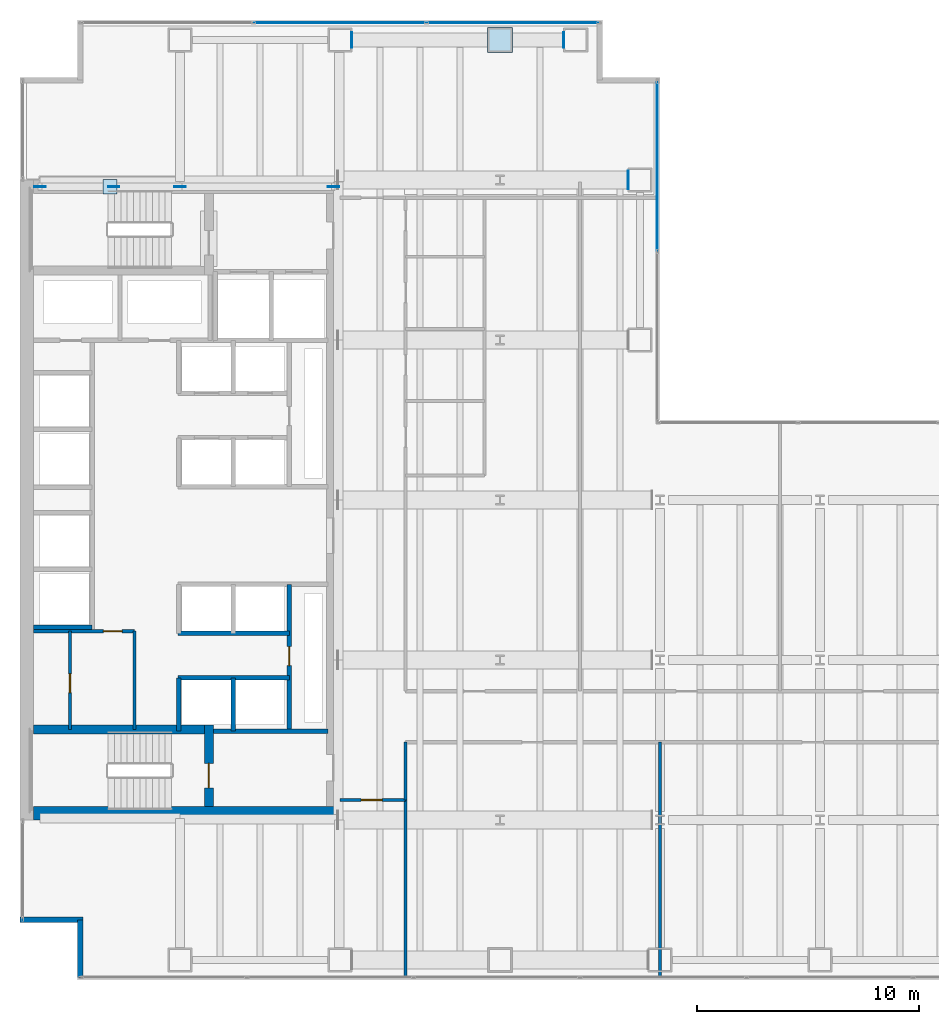
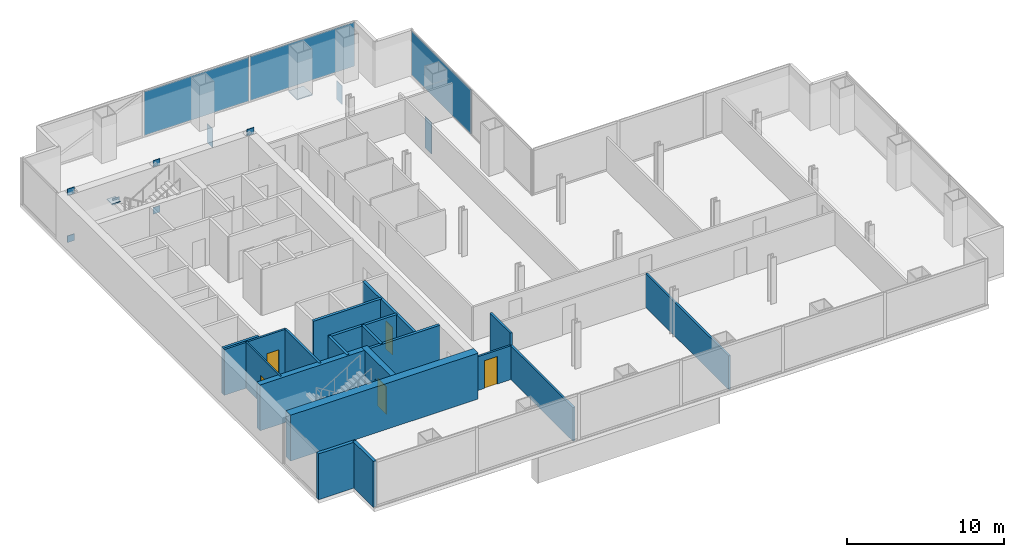
# One storey, part 20 of 24: 19 walls, 14 plates, 5 doors, 5 openings, 2 elements without a shape of their own.
"""IFC4 building model written with IfcOpenShell, lengths in metres."""

from ifc_helpers import new_model, si_unit, direction, frame, frame_2d, origin, origin_2d, place, context, subcontext, project, spatial, rectangle, extrude, material, layer, layer_set, type_object, element, fill, aggregate, save


model = new_model("IFC4")

# Units and contexts
model_context = context("Model", 3, precision=1e-05, world=origin(), true_north=direction((0.0, 1.0)))
body_context = subcontext(model_context, "Body", "Model", "MODEL_VIEW")
ifc_project = project(units=[si_unit("LENGTHUNIT", "METRE"), si_unit("AREAUNIT", "SQUARE_METRE"), si_unit("VOLUMEUNIT", "CUBIC_METRE"), si_unit("PLANEANGLEUNIT", "RADIAN"), si_unit("MASSUNIT", "GRAM", prefix="KILO")], contexts=[model_context])

# Site, building, storey
site_placement = place(None, origin())
site = spatial("IfcSite", under=ifc_project, at=site_placement, CompositionType="ELEMENT")
building_placement = place(site_placement, origin())
building = spatial("IfcBuilding", under=site, at=building_placement, Name="Cobrela Telecom Tower", CompositionType="ELEMENT")
storey_placement = place(building_placement, frame((0.0, 0.0, 31.14990234375)))
storey = spatial("IfcBuildingStorey", under=building, at=storey_placement, Name="L07", CompositionType="ELEMENT", Elevation=31.14990234375)

# Curtain wall, plates
ifc_material_1 = material(Name="Anodized Bronze Aluminium 6063-T6", Category="aluminium")
curtain_wall_type = type_object("IfcCurtainWallType", Name="CW-SYS-DATA", PredefinedType="USERDEFINED", material=ifc_material_1)
curtain_wall_1_placement = place(storey_placement, origin())
curtain_wall_1 = element("IfcCurtainWall", 1, at=curtain_wall_1_placement, inside=storey, type_object=curtain_wall_type, Name="L07 Unitised Bronze Curtain Wall 07", ObjectType="UNITISED CURTAIN WALL", PredefinedType="USERDEFINED")
ifc_material_2 = material(Name="Solar-Control Bronze Low-E Glass", Category="glass")
ifc_layer_1 = layer(ifc_material_2, 0.0380859375)
ifc_layer_set_1 = layer_set([ifc_layer_1], Name="Solar-Control Bronze Low-E Glass")
plate_type_1 = type_object("IfcPlateType", Name="CW-SYS-DATA-PNL", PredefinedType="CURTAIN_PANEL", material=ifc_layer_set_1)
plate_1_placement = place(storey_placement, frame((14.39990234375, 43.080078125, 0.0751953125), z_axis=(0.0, 0.0, 1.0), x_axis=(1.0, 0.0, 0.0)))
plate_1 = element("IfcPlate", 2, at=plate_1_placement, type_object=plate_type_1, Name="CW-DATA panel 2.1", PredefinedType="CURTAIN_PANEL", context=body_context, shape_type="SweptSolid", body=[
    extrude(rectangle(XDim=7.71337890625, YDim=0.0380859375, at=origin_2d()), origin(), (0.0, 0.0, 1.0), 3.419921875),
])
plate_2_placement = place(storey_placement, frame((22.17333984375, 43.080078125, 0.0751953125), z_axis=(0.0, 0.0, 1.0), x_axis=(1.0, 0.0, 0.0)))
plate_2 = element("IfcPlate", 3, at=plate_2_placement, type_object=plate_type_1, Name="CW-DATA panel 3.1", PredefinedType="CURTAIN_PANEL", context=body_context, shape_type="SweptSolid", body=[
    extrude(rectangle(XDim=7.67333984375, YDim=0.0380859375, at=origin_2d()), origin(), (0.0, 0.0, 1.0), 3.419921875),
])
aggregate(curtain_wall_1, [plate_1, plate_2])

# Curtain wall, plate
curtain_wall_2_placement = place(storey_placement, origin())
curtain_wall_2 = element("IfcCurtainWall", 4, at=curtain_wall_2_placement, inside=storey, type_object=curtain_wall_type, Name="L07 Unitised Bronze Curtain Wall 10", ObjectType="UNITISED CURTAIN WALL", PredefinedType="USERDEFINED")
plate_3_placement = place(storey_placement, frame((28.679931640625, 36.617431640625, 0.0751953125), z_axis=(0.0, 0.0, 1.0), x_axis=(0.0, -1.0, 0.0)))
plate_3 = element("IfcPlate", 5, at=plate_3_placement, type_object=plate_type_1, Name="CW-DATA panel 1.1", PredefinedType="CURTAIN_PANEL", context=body_context, shape_type="SweptSolid", body=[
    extrude(rectangle(XDim=7.5849609375, YDim=0.0380859375, at=origin_2d()), origin(), (0.0, 0.0, 1.0), 3.419921875),
])
aggregate(curtain_wall_2, [plate_3])

# Plates
ifc_material_3 = material(Name="Steel ASTM A572 Grade 50", Category="steel")
ifc_layer_2 = layer(ifc_material_3, 0.044921875)
ifc_layer_set_2 = layer_set([ifc_layer_2], Name="Steel ASTM A572 Grade 50")
plate_type_2 = type_object("IfcPlateType", Name="PLT-END-CAP-45", PredefinedType="SHEET", material=ifc_layer_set_2)
plate_4_placement = place(storey_placement, frame((21.60009765625, 42.300048828125, -0.04248046875), z_axis=(0.0, 0.0, 1.0), x_axis=(1.0, 0.0, 0.0)))
element("IfcPlate", 6, at=plate_4_placement, inside=storey, type_object=plate_type_2, Name="L07 Stepped Column Base Cap Plate 58", PredefinedType="SHEET", context=body_context, shape_type="SweptSolid", body=[
    extrude(rectangle(XDim=1.139892578125, YDim=1.139892578125, at=origin_2d()), origin(), (0.0, 0.0, 1.0), 0.044921875),
])
ifc_layer_3 = layer(ifc_material_3, 0.0419921875)
ifc_layer_set_3 = layer_set([ifc_layer_3], Name="Steel ASTM A572 Grade 50")
plate_type_3 = type_object("IfcPlateType", Name="PLT-NODE-ND1", PredefinedType="USERDEFINED", material=ifc_layer_set_3)
for number, where, z_axis, x_axis, name in (
    (7, (0.89990234375, 35.699951171875, -0.294921875), (0.0, 0.0, 1.0), (1.0, 0.0, 0.0), "Steel node plate PLT-MBR-EXO-L07-N1-A-0"),
    (8, (7.199951171875, 35.699951171875, 3.35498046875), (0.0, 0.0, 1.0), (1.0, 0.0, 0.0), "Steel node plate PLT-MBR-EXO-L07-N1-A-1"),
    (9, (7.199951171875, 35.699951171875, -0.294921875), (0.0, 0.0, 1.0), (-1.0, 0.0, 0.0), "Steel node plate PLT-MBR-EXO-L07-N1-B1-0"),
    (10, (4.219482421875, 35.699951171875, 1.431640625), (0.0, 0.0, 1.0), (-1.0, 0.0, 0.0), "Steel node plate PLT-MBR-EXO-L07-N1-B1-1"),
    (11, (0.89990234375, 35.699951171875, 3.35498046875), (0.0, 0.0, 1.0), (-1.0, 0.0, 0.0), "Steel node plate PLT-MBR-EXO-L07-N1-B2-1"),
):
    element("IfcPlate", number, at=place(storey_placement, frame(where, z_axis=z_axis, x_axis=x_axis)), inside=storey, type_object=plate_type_3, Name=name, ObjectType="GUSSET PLATE", PredefinedType="USERDEFINED", context=body_context, shape_type="SweptSolid", body=[
        extrude(rectangle(XDim=0.510009765625, YDim=0.044921875, at=origin_2d()), origin(), (0.0, 0.0, 1.0), 0.510009765625),
    ])
plate_5_placement = place(storey_placement, frame((4.050048828125, 35.699951171875, 1.7626953125), z_axis=(0.0, 0.0, 1.0), x_axis=(1.0, 0.0, 0.0)))
element("IfcPlate", 12, at=plate_5_placement, inside=storey, type_object=plate_type_3, Name="L07 Core Flange Steel X-Brace Central X-Crossing Gusset Plate", ObjectType="GUSSET PLATE", PredefinedType="USERDEFINED", context=body_context, shape_type="SweptSolid", body=[
    extrude(rectangle(XDim=0.64990234375, YDim=0.64990234375, at=origin_2d()), origin(), (0.0, 0.0, 1.0), 0.044921875),
])
plate_6_placement = place(storey_placement, frame((14.10009765625, 35.699951171875, 3.35498046875), z_axis=(0.0, 0.0, 1.0), x_axis=(1.0, 0.0, 0.0)))
element("IfcPlate", 13, at=plate_6_placement, inside=storey, type_object=plate_type_3, Name="Steel node plate PLT-MBR-EXO-L07-N2-1", ObjectType="GUSSET PLATE", PredefinedType="USERDEFINED", context=body_context, shape_type="SweptSolid", body=[
    extrude(rectangle(XDim=0.510009765625, YDim=0.044921875, at=origin_2d()), origin(), (0.0, 0.0, 1.0), 0.510009765625),
])
ifc_layer_4 = layer(ifc_material_3, 0.0400390625)
ifc_layer_set_4 = layer_set([ifc_layer_4], Name="Steel ASTM A572 Grade 50")
plate_type_4 = type_object("IfcPlateType", Name="PLT-NODE-ND5", PredefinedType="USERDEFINED", material=ifc_layer_set_4)
plate_7_placement = place(storey_placement, frame((27.364990234375, 36.0, -2.699951171875), z_axis=(0.0, 0.0, 1.0), x_axis=(1.0, 0.0, 0.0)))
element("IfcPlate", 14, at=plate_7_placement, inside=storey, type_object=plate_type_4, Name="Steel node plate PLT-BM-L07-BM-TRG-2400-X-360-143-C1", ObjectType="GUSSET PLATE", PredefinedType="USERDEFINED", context=body_context, shape_type="SweptSolid", body=[
    extrude(rectangle(XDim=0.044921875, YDim=0.840087890625, at=origin_2d()), origin(), (0.0, 0.0, 1.0), 2.43994140625),
])
for number, where, z_axis, x_axis, name in (
    (15, (14.93505859375, 42.300048828125, -1.699951171875), (0.0, 0.0, 1.0), (1.0, 0.0, 0.0), "Steel node plate PLT-BM-L07-BM-TRG-1400-X-423-150-C0"),
    (16, (24.465087890625, 42.300048828125, -1.699951171875), (0.0, 0.0, 1.0), (1.0, 0.0, 0.0), "Steel node plate PLT-BM-L07-BM-TRG-1400-X-423-150-C1"),
):
    element("IfcPlate", number, at=place(storey_placement, frame(where, z_axis=z_axis, x_axis=x_axis)), inside=storey, type_object=plate_type_4, Name=name, ObjectType="GUSSET PLATE", PredefinedType="USERDEFINED", context=body_context, shape_type="SweptSolid", body=[
        extrude(rectangle(XDim=0.044921875, YDim=0.68994140625, at=origin_2d()), origin(), (0.0, 0.0, 1.0), 1.43994140625),
    ])

# Walls
ifc_material_4 = material(Name="Concrete C50/60", Category="concrete")
ifc_layer_5 = layer(ifc_material_4, 0.60009765625)
ifc_layer_set_5 = layer_set([ifc_layer_5], Name="Concrete C50/60")
wall_type_1 = type_object("IfcWallType", Name="WALL-CORE-C50-600", PredefinedType="SHEAR", material=ifc_layer_set_5)
wall_1_placement = place(storey_placement, frame((0.60009765625, 7.5, 0.0), z_axis=(0.0, 0.0, 1.0), x_axis=(1.0, 0.0, 0.0)))
element("IfcWall", 17, at=wall_1_placement, inside=storey, type_object=wall_type_1, Name="L07 South Core Shear Wall", PredefinedType="SHEAR", context=body_context, shape_type="SweptSolid", body=[
    extrude(rectangle(XDim=13.7998046875, YDim=0.60009765625, at=frame_2d((6.89990234375, 0.0))), origin(), (0.0, 0.0, 1.0), 3.570068359375),
])
ifc_material_5 = material(Name="Concrete C40/50", Category="concrete")
ifc_layer_6 = layer(ifc_material_5, 0.239990234375)
ifc_layer_set_6 = layer_set([ifc_layer_6], Name="Concrete C40/50")
wall_type_2 = type_object("IfcWallType", Name="WALL-EXT-300", PredefinedType="STANDARD", material=ifc_layer_set_6)
wall_2_placement = place(storey_placement, frame((2.7099609375, 0.1201171875, 0.0), z_axis=(0.0, 0.0, 1.0), x_axis=(0.0, 1.0, 0.0)))
element("IfcWall", 18, at=wall_2_placement, inside=storey, type_object=wall_type_2, Name="L07 Insulated Facade Wall 01", PredefinedType="STANDARD", context=body_context, shape_type="SweptSolid", body=[
    extrude(rectangle(XDim=2.58984375, YDim=0.239990234375, at=frame_2d((1.294921875, 0.0))), origin(), (0.0, 0.0, 1.0), 3.570068359375),
])
wall_3_placement = place(storey_placement, frame((2.830078125, 2.7099609375, 0.0), z_axis=(0.0, 0.0, 1.0), x_axis=(-1.0, 0.0, 0.0)))
element("IfcWall", 19, at=wall_3_placement, inside=storey, type_object=wall_type_2, Name="L07 Insulated Facade Wall 02", PredefinedType="STANDARD", context=body_context, shape_type="SweptSolid", body=[
    extrude(rectangle(XDim=2.830078125, YDim=0.239990234375, at=frame_2d((1.4150390625, 0.0))), origin(), (0.0, 0.0, 1.0), 3.570068359375),
])

# Wall, opening, door
ifc_material_6 = material(Name="Fire-Rated Gypsum Plasterboard")
ifc_layer_7 = layer(ifc_material_6, 0.125)
ifc_layer_set_7 = layer_set([ifc_layer_7], Name="Fire-Rated Gypsum Plasterboard")
wall_type_3 = type_object("IfcWallType", Name="WALL-PART-125", PredefinedType="PARTITIONING", material=ifc_layer_set_7)
wall_4_placement = place(storey_placement, frame((2.25, 11.280029296875, 0.0), z_axis=(0.0, 0.0, 1.0), x_axis=(0.0, 1.0, 0.0)))
wall_4 = element("IfcWall", 20, at=wall_4_placement, inside=storey, type_object=wall_type_3, Name="L07 Interior Partition CW-FK0-V", PredefinedType="PARTITIONING", context=body_context, shape_type="SweptSolid", body=[
    extrude(rectangle(XDim=4.419921875, YDim=0.125, at=frame_2d((2.2099609375, 0.0))), origin(), (0.0, 0.0, 1.0), 3.570068359375),
])
opening_1_placement = place(wall_4_placement, frame((1.64990234375, 0.0, 0.0)))
opening_1 = element("IfcOpeningElement", 21, at=opening_1_placement, cuts=wall_4, Name="Opening DR-11", PredefinedType="OPENING", context=body_context, shape_type="SweptSolid", body=[
    extrude(rectangle(XDim=0.85009765625, YDim=2.14990234375, at=frame_2d((0.425048828125, 1.074951171875))), frame((0.0, 0.074462890625, 0.0), z_axis=(0.0, -1.0, 0.0), x_axis=(1.0, 0.0, 0.0)), (0.0, 0.0, 1.0), 0.14892578125),
])
ifc_material_7 = material(Name="Solid Engineered Oak Timber", Category="wood")
door_type_1 = type_object("IfcDoorType", Name="DOOR-INT-850", OperationType="SINGLE_SWING_LEFT", PredefinedType="DOOR", material=ifc_material_7)
door_1_placement = place(opening_1_placement, origin())
door_1 = element("IfcDoor", 22, at=door_1_placement, inside=storey, type_object=door_type_1, Name="L07 Door DR-11", OperationType="SINGLE_SWING_LEFT", OverallHeight=2.14990234375, OverallWidth=0.85009765625, PredefinedType="DOOR", context=body_context, shape_type="SweptSolid", body=[
    extrude(rectangle(XDim=0.85009765625, YDim=2.14990234375, at=frame_2d((0.425048828125, 1.074951171875))), frame((0.0, 0.02490234375, 0.0), z_axis=(0.0, -1.0, 0.0), x_axis=(1.0, 0.0, 0.0)), (0.0, 0.0, 1.0), 0.050048828125),
])
fill(opening_1, door_1)

ifc_layer_8 = layer(ifc_material_6, 0.14990234375)
ifc_layer_set_8 = layer_set([ifc_layer_8], Name="Fire-Rated Gypsum Plasterboard")
wall_type_4 = type_object("IfcWallType", Name="WALL-PART-150", PredefinedType="PARTITIONING", material=ifc_layer_set_8)
wall_5_placement = place(storey_placement, frame((0.60009765625, 15.699951171875, 0.0), z_axis=(0.0, 0.0, 1.0), x_axis=(1.0, 0.0, 0.0)))
wall_5 = element("IfcWall", 23, at=wall_5_placement, inside=storey, type_object=wall_type_4, Name="L07 Interior Partition CW-FLEX-N", PredefinedType="PARTITIONING", context=body_context, shape_type="SweptSolid", body=[
    extrude(rectangle(XDim=4.5498046875, YDim=0.14990234375, at=frame_2d((2.27490234375, 0.0))), origin(), (0.0, 0.0, 1.0), 3.570068359375),
])
opening_2_placement = place(wall_5_placement, frame((3.14990234375, 0.0, 0.0)))
opening_2 = element("IfcOpeningElement", 24, at=opening_2_placement, cuts=wall_5, Name="Opening DR-11", PredefinedType="OPENING", context=body_context, shape_type="SweptSolid", body=[
    extrude(rectangle(XDim=0.85009765625, YDim=2.14990234375, at=frame_2d((0.425048828125, 1.074951171875))), frame((0.0, 0.0869140625, 0.0), z_axis=(0.0, -1.0, 0.0), x_axis=(1.0, 0.0, 0.0)), (0.0, 0.0, 1.0), 0.173828125),
])
door_2_placement = place(opening_2_placement, origin())
door_2 = element("IfcDoor", 25, at=door_2_placement, inside=storey, type_object=door_type_1, Name="L07 Door DR-11", OperationType="SINGLE_SWING_RIGHT", OverallHeight=2.14990234375, OverallWidth=0.85009765625, PredefinedType="DOOR", context=body_context, shape_type="SweptSolid", body=[
    extrude(rectangle(XDim=0.85009765625, YDim=2.14990234375, at=frame_2d((0.425048828125, 1.074951171875))), frame((0.0, 0.02490234375, 0.0), z_axis=(0.0, -1.0, 0.0), x_axis=(1.0, 0.0, 0.0)), (0.0, 0.0, 1.0), 0.050048828125),
])
fill(opening_2, door_2)

# Wall
wall_6_placement = place(storey_placement, frame((5.14990234375, 11.280029296875, 0.0), z_axis=(0.0, 0.0, 1.0), x_axis=(0.0, 1.0, 0.0)))
element("IfcWall", 26, at=wall_6_placement, inside=storey, type_object=wall_type_4, Name="L07 Interior Partition CW-FLEX-E", PredefinedType="PARTITIONING", context=body_context, shape_type="SweptSolid", body=[
    extrude(rectangle(XDim=4.419921875, YDim=0.14990234375, at=frame_2d((2.2099609375, 0.0))), origin(), (0.0, 0.0, 1.0), 3.570068359375),
])

# Wall, opening, door
wall_7_placement = place(storey_placement, frame((14.39990234375, 8.10009765625, 0.0), z_axis=(0.0, 0.0, 1.0), x_axis=(1.0, 0.0, 0.0)))
wall_7 = element("IfcWall", 27, at=wall_7_placement, inside=storey, type_object=wall_type_4, Name="L07 Interior Partition W-C-S0", PredefinedType="PARTITIONING", context=body_context, shape_type="SweptSolid", body=[
    extrude(rectangle(XDim=2.9501953125, YDim=0.14990234375, at=frame_2d((1.47509765625, 0.0))), origin(), (0.0, 0.0, 1.0), 2.628173828125),
])
opening_3_placement = place(wall_7_placement, frame((0.949951171875, 0.0, 0.0)))
opening_3 = element("IfcOpeningElement", 28, at=opening_3_placement, cuts=wall_7, Name="Opening DR-67", PredefinedType="OPENING", context=body_context, shape_type="SweptSolid", body=[
    extrude(rectangle(XDim=0.949951171875, YDim=2.14990234375, at=frame_2d((0.47509765625, 1.074951171875))), frame((0.0, 0.0869140625, 0.0), z_axis=(0.0, -1.0, 0.0), x_axis=(1.0, 0.0, 0.0)), (0.0, 0.0, 1.0), 0.173828125),
])
door_type_2 = type_object("IfcDoorType", Name="DOOR-INT-950", OperationType="SINGLE_SWING_LEFT", PredefinedType="DOOR", material=ifc_material_7)
door_3_placement = place(opening_3_placement, origin())
door_3 = element("IfcDoor", 29, at=door_3_placement, inside=storey, type_object=door_type_2, Name="L07 Door DR-67", OperationType="SINGLE_SWING_RIGHT", OverallHeight=2.14990234375, OverallWidth=0.949951171875, PredefinedType="DOOR", context=body_context, shape_type="SweptSolid", body=[
    extrude(rectangle(XDim=0.949951171875, YDim=2.14990234375, at=frame_2d((0.47509765625, 1.074951171875))), frame((0.0, 0.02490234375, 0.0), z_axis=(0.0, -1.0, 0.0), x_axis=(1.0, 0.0, 0.0)), (0.0, 0.0, 1.0), 0.050048828125),
])
fill(opening_3, door_3)

# Walls
wall_8_placement = place(storey_placement, frame((17.35009765625, 8.10009765625, 0.0), z_axis=(0.0, 0.0, 1.0), x_axis=(0.0, 1.0, 0.0)))
element("IfcWall", 30, at=wall_8_placement, inside=storey, type_object=wall_type_4, Name="L07 Interior Partition W-C-E1", PredefinedType="PARTITIONING", context=body_context, shape_type="SweptSolid", body=[
    extrude(rectangle(XDim=2.599853515625, YDim=0.14990234375, at=frame_2d((1.2998046875, 0.0))), origin(), (0.0, 0.0, 1.0), 3.570068359375),
])
wall_9_placement = place(storey_placement, frame((17.35009765625, 0.1201171875, 0.0), z_axis=(0.0, 0.0, 1.0), x_axis=(0.0, 1.0, 0.0)))
element("IfcWall", 31, at=wall_9_placement, inside=storey, type_object=wall_type_4, Name="L07 Interior Partition W-SW-E", PredefinedType="PARTITIONING", context=body_context, shape_type="SweptSolid", body=[
    extrude(rectangle(XDim=7.97998046875, YDim=0.14990234375, at=frame_2d((3.989990234375, 0.0))), origin(), (0.0, 0.0, 1.0), 2.628173828125),
])
wall_10_placement = place(storey_placement, frame((28.800048828125, 0.1201171875, 0.0), z_axis=(0.0, 0.0, 1.0), x_axis=(0.0, 1.0, 0.0)))
element("IfcWall", 32, at=wall_10_placement, inside=storey, type_object=wall_type_4, Name="L07 Interior Partition W-SV-1", PredefinedType="PARTITIONING", context=body_context, shape_type="SweptSolid", body=[
    extrude(rectangle(XDim=10.579833984375, YDim=0.14990234375, at=frame_2d((5.2900390625, 0.0))), origin(), (0.0, 0.0, 1.0), 2.628173828125),
])
ifc_layer_9 = layer(ifc_material_6, 0.199951171875)
ifc_layer_set_9 = layer_set([ifc_layer_9], Name="Fire-Rated Gypsum Plasterboard")
wall_type_5 = type_object("IfcWallType", Name="WALL-SHAFT-200", PredefinedType="PARTITIONING", material=ifc_layer_set_9)
wall_11_placement = place(storey_placement, frame((8.699951171875, 11.199951171875, 0.0), z_axis=(0.0, 0.0, 1.0), x_axis=(1.0, 0.0, 0.0)))
element("IfcWall", 33, at=wall_11_placement, inside=storey, type_object=wall_type_5, Name="L07 Shaft Enclosure CW-ST2L-N", PredefinedType="PARTITIONING", context=body_context, shape_type="SweptSolid", body=[
    extrude(rectangle(XDim=5.150146484375, YDim=0.199951171875, at=frame_2d((2.5751953125, 0.0))), origin(), (0.0, 0.0, 1.0), 3.570068359375),
])
wall_12_placement = place(storey_placement, frame((0.60009765625, 15.8798828125, 0.0), z_axis=(0.0, 0.0, 1.0), x_axis=(1.0, 0.0, 0.0)))
element("IfcWall", 34, at=wall_12_placement, inside=storey, type_object=wall_type_5, Name="L07 Shaft Enclosure CW-PLH-D9", PredefinedType="PARTITIONING", context=body_context, shape_type="SweptSolid", body=[
    extrude(rectangle(XDim=2.64990234375, YDim=0.199951171875, at=frame_2d((1.324951171875, 0.0))), origin(), (0.0, 0.0, 1.0), 3.570068359375),
])
for number, where, z_axis, x_axis, name in (
    (35, (7.10009765625, 15.60009765625, 0.0), (0.0, 0.0, 1.0), (1.0, 0.0, 0.0), "L07 Shaft Enclosure CW-PLM-N"),
    (36, (7.10009765625, 13.60009765625, 0.0), (0.0, 0.0, 1.0), (1.0, 0.0, 0.0), "L07 Shaft Enclosure CW-PLM-S"),
):
    element("IfcWall", number, at=place(storey_placement, frame(where, z_axis=z_axis, x_axis=x_axis)), inside=storey, type_object=wall_type_5, Name=name, PredefinedType="PARTITIONING", context=body_context, shape_type="SweptSolid", body=[
        extrude(rectangle(XDim=5.02001953125, YDim=0.199951171875, at=frame_2d((2.510009765625, 0.0))), origin(), (0.0, 0.0, 1.0), 3.570068359375),
    ])
for number, where, z_axis, x_axis, name in (
    (37, (7.14990234375, 11.199951171875, 0.0), (0.0, 0.0, 1.0), (0.0, 1.0, 0.0), "L07 Shaft Enclosure CW-PLM-V1B"),
    (38, (9.60009765625, 11.199951171875, 0.0), (0.0, 0.0, 1.0), (0.0, 1.0, 0.0), "L07 Shaft Enclosure CW-PLM-V2B"),
):
    element("IfcWall", number, at=place(storey_placement, frame(where, z_axis=z_axis, x_axis=x_axis)), inside=storey, type_object=wall_type_5, Name=name, PredefinedType="PARTITIONING", context=body_context, shape_type="SweptSolid", body=[
        extrude(rectangle(XDim=2.400146484375, YDim=0.199951171875, at=frame_2d((1.2001953125, 0.0))), origin(), (0.0, 0.0, 1.0), 3.570068359375),
    ])

# Wall, opening, door
wall_13_placement = place(storey_placement, frame((12.1201171875, 11.199951171875, 0.0), z_axis=(0.0, 0.0, 1.0), x_axis=(0.0, 1.0, 0.0)))
wall_13 = element("IfcWall", 39, at=wall_13_placement, inside=storey, type_object=wall_type_5, Name="L07 Shaft Enclosure CW-PLM-V3", PredefinedType="PARTITIONING", context=body_context, shape_type="SweptSolid", body=[
    extrude(rectangle(XDim=6.60009765625, YDim=0.199951171875, at=frame_2d((3.300048828125, 0.0))), origin(), (0.0, 0.0, 1.0), 3.570068359375),
])
opening_4_placement = place(wall_13_placement, frame((2.949951171875, 0.0, 0.0)))
opening_4 = element("IfcOpeningElement", 40, at=opening_4_placement, cuts=wall_13, Name="Opening DR-11", PredefinedType="OPENING", context=body_context, shape_type="SweptSolid", body=[
    extrude(rectangle(XDim=0.85009765625, YDim=2.14990234375, at=frame_2d((0.425048828125, 1.074951171875))), frame((0.0, 0.11181640625, 0.0), z_axis=(0.0, -1.0, 0.0), x_axis=(1.0, 0.0, 0.0)), (0.0, 0.0, 1.0), 0.223876953125),
])
door_4_placement = place(opening_4_placement, origin())
door_4 = element("IfcDoor", 41, at=door_4_placement, inside=storey, type_object=door_type_1, Name="L07 Door DR-11", OperationType="SINGLE_SWING_RIGHT", OverallHeight=2.14990234375, OverallWidth=0.85009765625, PredefinedType="DOOR", context=body_context, shape_type="SweptSolid", body=[
    extrude(rectangle(XDim=0.85009765625, YDim=2.14990234375, at=frame_2d((0.425048828125, 1.074951171875))), frame((0.0, 0.02490234375, 0.0), z_axis=(0.0, -1.0, 0.0), x_axis=(1.0, 0.0, 0.0)), (0.0, 0.0, 1.0), 0.050048828125),
])
fill(opening_4, door_4)

# Wall
ifc_layer_10 = layer(ifc_material_5, 0.39990234375)
ifc_layer_set_10 = layer_set([ifc_layer_10], Name="Concrete C40/50")
wall_type_6 = type_object("IfcWallType", Name="WALL-SHAFT-C40-400", PredefinedType="SHEAR", material=ifc_layer_set_10)
wall_14_placement = place(storey_placement, frame((0.60009765625, 11.280029296875, 0.0), z_axis=(0.0, 0.0, 1.0), x_axis=(1.0, 0.0, 0.0)))
element("IfcWall", 42, at=wall_14_placement, inside=storey, type_object=wall_type_6, Name="L07 South Stair Shear Wall", PredefinedType="SHEAR", context=body_context, shape_type="SweptSolid", body=[
    extrude(rectangle(XDim=7.699951171875, YDim=0.39990234375, at=frame_2d((3.85009765625, 0.0))), origin(), (0.0, 0.0, 1.0), 3.570068359375),
])

# Wall, opening, door
wall_15_placement = place(storey_placement, frame((8.5, 7.800048828125, 0.0), z_axis=(0.0, 0.0, 1.0), x_axis=(0.0, 1.0, 0.0)))
wall_15 = element("IfcWall", 43, at=wall_15_placement, inside=storey, type_object=wall_type_6, Name="L07 South Stair Lobby Shear Wall", PredefinedType="SHEAR", context=body_context, shape_type="SweptSolid", body=[
    extrude(rectangle(XDim=3.679931640625, YDim=0.39990234375, at=frame_2d((1.83984375, 0.0))), origin(), (0.0, 0.0, 1.0), 3.570068359375),
])
opening_5_placement = place(wall_15_placement, frame((0.85009765625, 0.0, 0.0)))
opening_5 = element("IfcOpeningElement", 44, at=opening_5_placement, cuts=wall_15, Name="Opening FD-90", PredefinedType="OPENING", context=body_context, shape_type="SweptSolid", body=[
    extrude(rectangle(XDim=1.10009765625, YDim=2.14990234375, at=frame_2d((0.550048828125, 1.074951171875))), frame((0.0, 0.2119140625, 0.0), z_axis=(0.0, -1.0, 0.0), x_axis=(1.0, 0.0, 0.0)), (0.0, 0.0, 1.0), 0.423828125),
])
ifc_material_8 = material(Name="Steel ASTM A36", Category="steel")
door_type_3 = type_object("IfcDoorType", Name="DOOR-FD90-1100", OperationType="SINGLE_SWING_LEFT", PredefinedType="DOOR", material=ifc_material_8)
door_5_placement = place(opening_5_placement, origin())
door_5 = element("IfcDoor", 45, at=door_5_placement, inside=storey, type_object=door_type_3, Name="L07 Door FD-90", OperationType="SINGLE_SWING_LEFT", OverallHeight=2.14990234375, OverallWidth=1.10009765625, PredefinedType="DOOR", context=body_context, shape_type="SweptSolid", body=[
    extrude(rectangle(XDim=1.10009765625, YDim=2.14990234375, at=frame_2d((0.550048828125, 1.074951171875))), frame((0.0, 0.02490234375, 0.0), z_axis=(0.0, -1.0, 0.0), x_axis=(1.0, 0.0, 0.0)), (0.0, 0.0, 1.0), 0.050048828125),
])
fill(opening_5, door_5)

save(model, "model.ifc")
